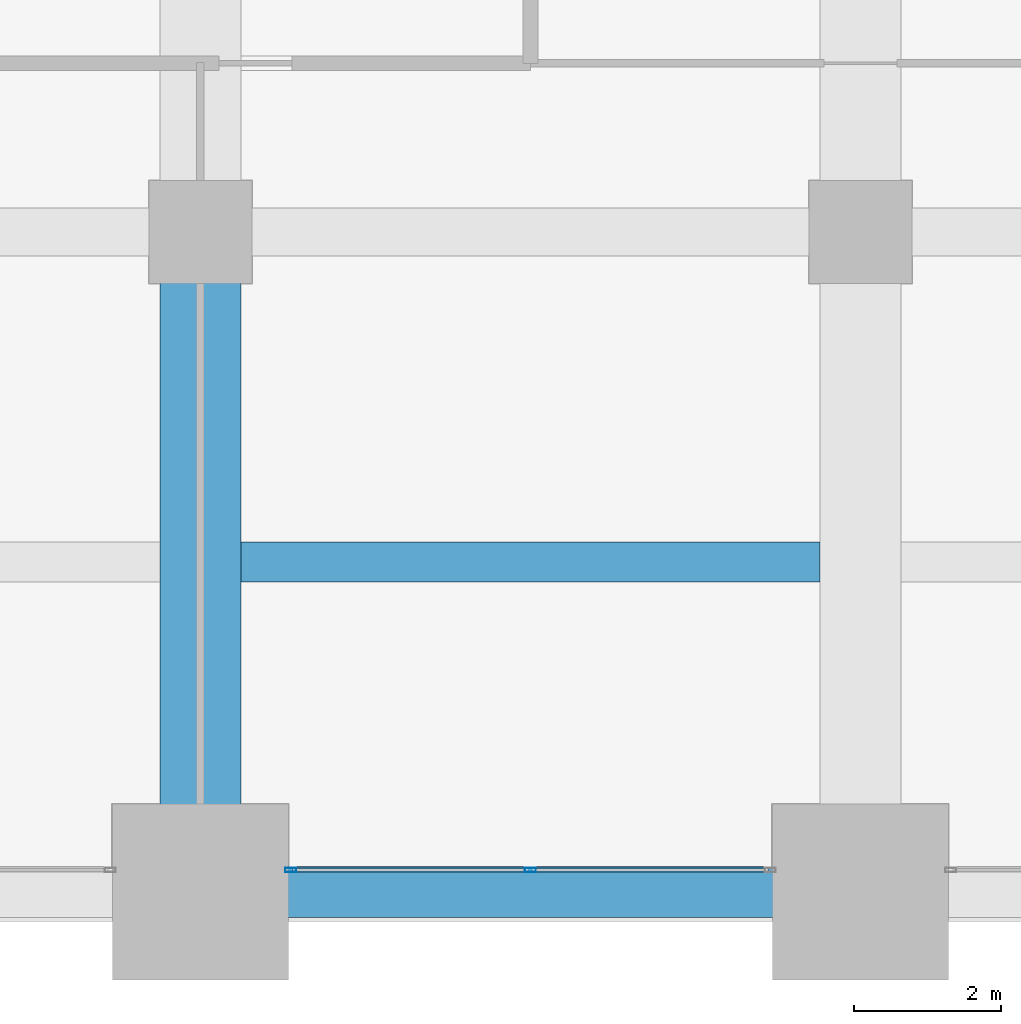
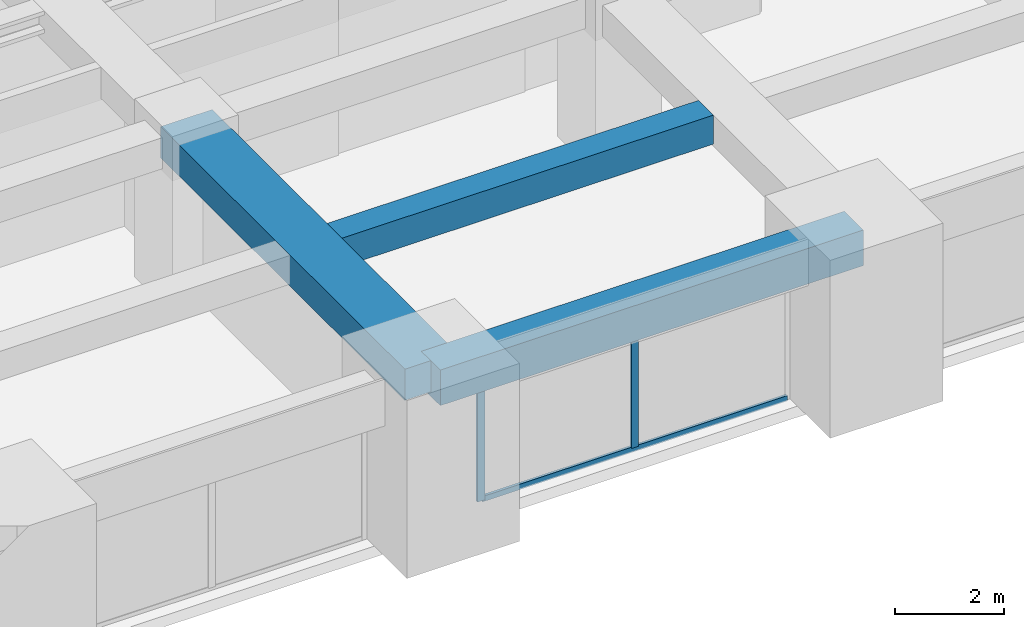
# One storey, part 7 of 32: 3 beams, 3 members, 1 element without a shape of its own.
"""IFC4 building model written with IfcOpenShell, lengths in metres."""

from ifc_helpers import new_model, si_unit, direction, frame, origin, origin_2d, place, context, subcontext, project, spatial, rectangle, hollow_rectangle, extrude, material, material_profile, profile_set, type_object, element, aggregate, save


model = new_model("IFC4")

# Units and contexts
model_context = context("Model", 3, precision=1e-05, world=origin(), true_north=direction((0.0, 1.0)))
body_context = subcontext(model_context, "Body", "Model", "MODEL_VIEW")
ifc_project = project(units=[si_unit("LENGTHUNIT", "METRE"), si_unit("AREAUNIT", "SQUARE_METRE"), si_unit("VOLUMEUNIT", "CUBIC_METRE"), si_unit("PLANEANGLEUNIT", "RADIAN"), si_unit("MASSUNIT", "GRAM", prefix="KILO")], contexts=[model_context])

# Site, building, storey
site_placement = place(None, origin())
site = spatial("IfcSite", under=ifc_project, at=site_placement, CompositionType="ELEMENT")
building_placement = place(site_placement, origin())
building = spatial("IfcBuilding", under=site, at=building_placement, Name="Zorevar Civic Tower", CompositionType="ELEMENT")
storey_placement = place(building_placement, frame((0.0, 0.0, 202.199951171875)))
storey = spatial("IfcBuildingStorey", under=building, at=storey_placement, Name="L49", CompositionType="ELEMENT", Elevation=202.199951171875)

# Beams
ifc_material_1 = material(Name="Concrete C50/60", Category="concrete")
ifc_material_profile_1 = material_profile(ifc_material_1, rectangle(XDim=1.10009765625, YDim=0.699951171875, at=origin_2d()), Name="RC 1100x700")
ifc_profile_set_1 = profile_set([ifc_material_profile_1], Name="Concrete C50/60")
beam_type_1 = type_object("IfcBeamType", Name="Beam RC 1100x700", PredefinedType="BEAM", material=ifc_profile_set_1)
beam_1_placement = place(storey_placement, frame((27.0, 0.0, 3.400146484375), z_axis=(0.0, 1.0, 0.0), x_axis=(-1.0, 0.0, 0.0)))
element("IfcBeam", 1, at=beam_1_placement, inside=storey, type_object=beam_type_1, Name="Girder L50", PredefinedType="BEAM", context=body_context, shape_type="SweptSolid", body=[
    extrude(rectangle(XDim=1.10009765625, YDim=0.699951171875, at=origin_2d()), origin(), (0.0, 0.0, 1.0), 9.0),
])
ifc_material_2 = material(Name="Concrete C50/60", Category="concrete")
ifc_material_profile_2 = material_profile(ifc_material_2, rectangle(XDim=0.550048828125, YDim=0.64990234375, at=origin_2d()), Name="RC 550x650")
ifc_profile_set_2 = profile_set([ifc_material_profile_2], Name="Concrete C50/60")
beam_type_2 = type_object("IfcBeamType", Name="Beam RC 550x650", PredefinedType="BEAM", material=ifc_profile_set_2)
beam_2_placement = place(storey_placement, frame((27.550048828125, 4.5, 3.425048828125), z_axis=(1.0, 0.0, 0.0), x_axis=(0.0, 1.0, 0.0)))
element("IfcBeam", 2, at=beam_2_placement, inside=storey, type_object=beam_type_2, Name="Secondary beam L50", PredefinedType="BEAM", context=body_context, shape_type="SweptSolid", body=[
    extrude(rectangle(XDim=0.550048828125, YDim=0.64990234375, at=origin_2d()), origin(), (0.0, 0.0, 1.0), 7.89990234375),
])

# Curtain wall, members
ifc_material_3 = material(Name="Dark grey solar-control glass in black aluminium frame", Category="aluminium")
curtain_wall_type = type_object("IfcCurtainWallType", Name="Curtain wall CW4 high zone", PredefinedType="NOTDEFINED", material=ifc_material_3)
curtain_wall_placement = place(storey_placement, origin())
curtain_wall = element("IfcCurtainWall", 3, at=curtain_wall_placement, inside=storey, type_object=curtain_wall_type, Name="CW4 L49", PredefinedType="NOTDEFINED")
ifc_material_4 = material(Name="Aluminium, black anodised", Category="aluminium")
ifc_material_profile_3 = material_profile(ifc_material_4, hollow_rectangle(XDim=0.06005859375, YDim=0.14990234375, WallThickness=0.00390625, at=origin_2d()), Name="AL 150x60x4")
ifc_profile_set_3 = profile_set([ifc_material_profile_3], Name="Aluminium, black anodised")
member_type_1 = type_object("IfcMemberType", Name="CW4 mullion AL 150x60x4", PredefinedType="MULLION", material=ifc_profile_set_3)
member_1_placement = place(storey_placement, frame((28.22998046875, 0.300048828125, 0.0), z_axis=(0.0, 0.0, 1.0), x_axis=(0.0, 1.0, 0.0)))
member_1 = element("IfcMember", 4, at=member_1_placement, type_object=member_type_1, Name="CW4 mullion 1", PredefinedType="MULLION", context=body_context, shape_type="SweptSolid", body=[
    extrude(hollow_rectangle(XDim=0.06005859375, YDim=0.14990234375, WallThickness=0.00390625, at=origin_2d()), origin(), (0.0, 0.0, 1.0), 2.949951171875),
])
member_2_placement = place(storey_placement, frame((31.5, 0.300048828125, 0.06005859375), z_axis=(0.0, 0.0, 1.0), x_axis=(0.0, 1.0, 0.0)))
member_2 = element("IfcMember", 5, at=member_2_placement, type_object=member_type_1, Name="CW4 mullion 2", PredefinedType="MULLION", context=body_context, shape_type="SweptSolid", body=[
    extrude(hollow_rectangle(XDim=0.06005859375, YDim=0.14990234375, WallThickness=0.00390625, at=origin_2d()), origin(), (0.0, 0.0, 1.0), 2.889892578125),
])
ifc_material_5 = material(Name="Aluminium, black anodised", Category="aluminium")
ifc_material_profile_4 = material_profile(ifc_material_5, hollow_rectangle(XDim=0.06005859375, YDim=0.1201171875, WallThickness=0.0029296875, at=origin_2d()), Name="AL 120x60x3")
ifc_profile_set_4 = profile_set([ifc_material_profile_4], Name="Aluminium, black anodised")
member_type_2 = type_object("IfcMemberType", Name="CW4 transom AL 120x60x3", PredefinedType="USERDEFINED", material=ifc_profile_set_4)
member_3_placement = place(storey_placement, frame((28.260009765625, 0.300048828125, 0.030029296875), z_axis=(1.0, 0.0, 0.0), x_axis=(0.0, 1.0, 0.0)))
member_3 = element("IfcMember", 6, at=member_3_placement, type_object=member_type_2, Name="CW4 sill transom", ObjectType="TRANSOM", PredefinedType="USERDEFINED", context=body_context, shape_type="SweptSolid", body=[
    extrude(hollow_rectangle(XDim=0.06005859375, YDim=0.1201171875, WallThickness=0.0029296875, at=origin_2d()), origin(), (0.0, 0.0, 1.0), 6.47998046875),
])
aggregate(curtain_wall, [member_1, member_2, member_3])

# Beam
ifc_material_6 = material(Name="Concrete C50/60", Category="concrete")
ifc_material_profile_5 = material_profile(ifc_material_6, rectangle(XDim=0.699951171875, YDim=0.800048828125, at=origin_2d()), Name="RC 700x800")
ifc_profile_set_5 = profile_set([ifc_material_profile_5], Name="Concrete C50/60")
beam_type_3 = type_object("IfcBeamType", Name="Edge beam RC 700x800", PredefinedType="SPANDREL", material=ifc_profile_set_5)
beam_3_placement = place(storey_placement, frame((27.0, 0.0, 3.35009765625), z_axis=(1.0, 0.0, 0.0), x_axis=(0.0, 1.0, 0.0)))
element("IfcBeam", 7, at=beam_3_placement, inside=storey, type_object=beam_type_3, Name="Edge beam L50", PredefinedType="SPANDREL", context=body_context, shape_type="SweptSolid", body=[
    extrude(rectangle(XDim=0.699951171875, YDim=0.800048828125, at=origin_2d()), origin(), (0.0, 0.0, 1.0), 9.0),
])

save(model, "model.ifc")
